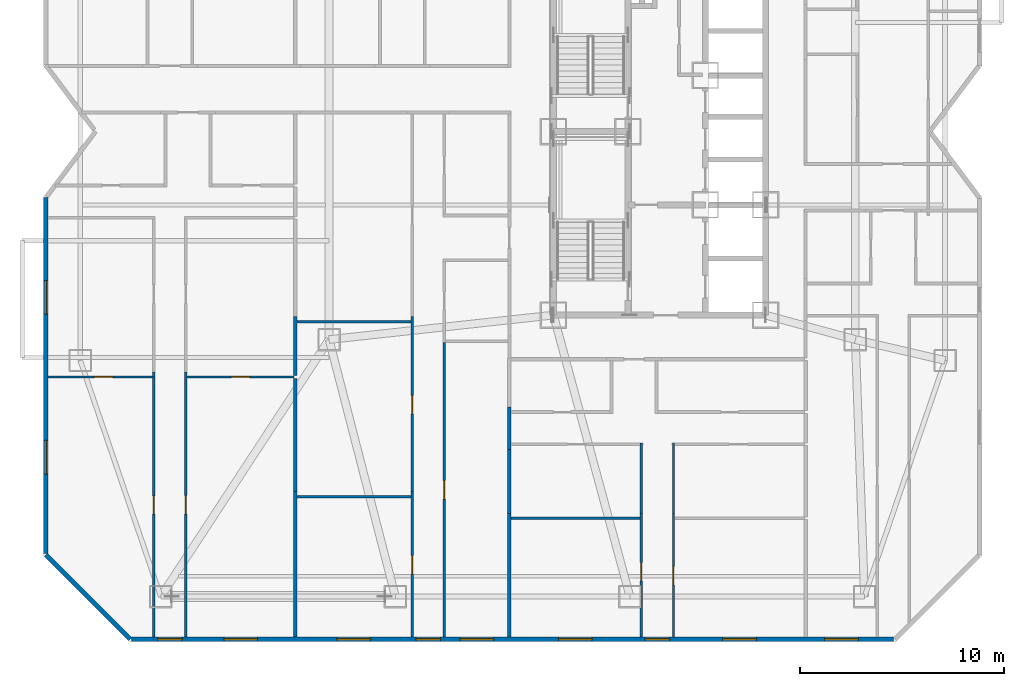
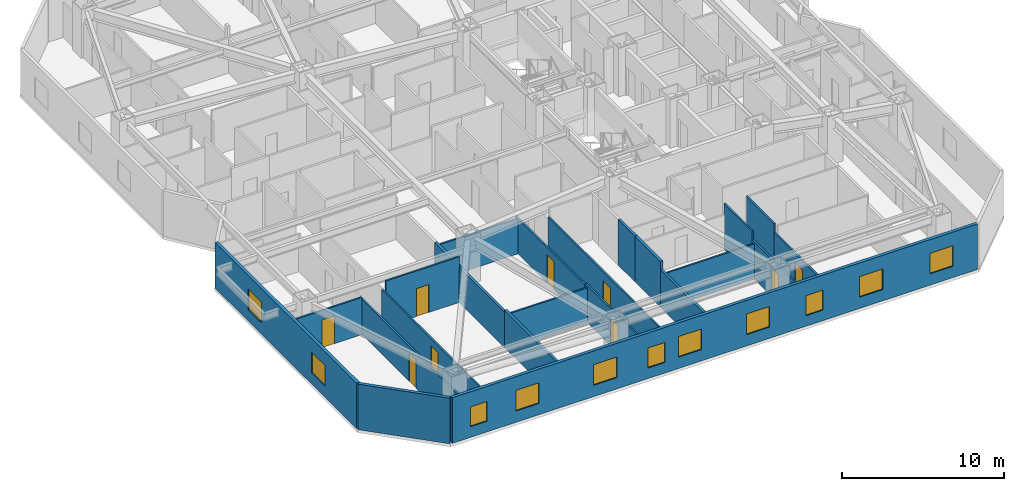
# One storey, part 6 of 13: 23 walls, 11 windows, 9 doors, 20 openings.
"""IFC4 building model written with IfcOpenShell, lengths in metres."""

from ifc_helpers import new_model, si_unit, direction, frame, frame_2d, origin, place, context, subcontext, project, spatial, rectangle, extrude, material, layer, layer_set, type_object, element, fill, save


model = new_model("IFC4")

# Units and contexts
model_context = context("Model", 3, precision=1e-05, world=origin(), true_north=direction((0.0, 1.0)))
body_context = subcontext(model_context, "Body", "Model", "MODEL_VIEW")
ifc_project = project(units=[si_unit("LENGTHUNIT", "METRE"), si_unit("AREAUNIT", "SQUARE_METRE"), si_unit("VOLUMEUNIT", "CUBIC_METRE"), si_unit("PLANEANGLEUNIT", "RADIAN"), si_unit("MASSUNIT", "GRAM", prefix="KILO")], contexts=[model_context])

# Site, building, storey
site_placement = place(None, origin())
site = spatial("IfcSite", under=ifc_project, at=site_placement, CompositionType="ELEMENT")
building_placement = place(site_placement, origin())
building = spatial("IfcBuilding", under=site, at=building_placement, Name="Khamvora Tower", CompositionType="ELEMENT")
storey_placement = place(building_placement, frame((0.0, 0.0, 62.5)))
storey = spatial("IfcBuildingStorey", under=building, at=storey_placement, Name="L15", CompositionType="ELEMENT", Elevation=62.5)

# Walls
ifc_material_1 = material(Name="Acoustic Double-Stud Fire Wall", Category="gypsum")
ifc_layer_1 = layer(ifc_material_1, 0.179931640625)
ifc_layer_set_1 = layer_set([ifc_layer_1], Name="Acoustic Double-Stud Fire Wall")
wall_type_1 = type_object("IfcWallType", Name="WAL-CORR-180", PredefinedType="STANDARD", material=ifc_layer_set_1)
wall_1_placement = place(storey_placement, frame((16.345947265625, 10.340087890625, 0.0), z_axis=(0.0, 0.0, 1.0), x_axis=(0.0, -1.0, 0.0)))
element("IfcWall", 1, at=wall_1_placement, inside=storey, type_object=wall_type_1, Name="L15 interior partition wall 061", PredefinedType="STANDARD", context=body_context, shape_type="SweptSolid", body=[
    extrude(rectangle(XDim=7.128173828125, YDim=0.179931640625, at=frame_2d((3.56396484375, 0.0))), origin(), (0.0, 0.0, 1.0), 2.802978515625),
])
wall_2_placement = place(storey_placement, frame((16.345947265625, 15.90087890625, 0.0), z_axis=(0.0, 0.0, 1.0), x_axis=(0.0, -1.0, 0.0)))
element("IfcWall", 2, at=wall_2_placement, inside=storey, type_object=wall_type_1, Name="L15 interior partition wall 062", PredefinedType="STANDARD", context=body_context, shape_type="SweptSolid", body=[
    extrude(rectangle(XDim=5.560791015625, YDim=0.179931640625, at=frame_2d((2.7802734375, 0.0))), origin(), (0.0, 0.0, 1.0), 2.64697265625),
])
wall_3_placement = place(storey_placement, frame((16.345947265625, 18.927001953125, 0.0), z_axis=(0.0, 0.0, 1.0), x_axis=(0.0, -1.0, 0.0)))
element("IfcWall", 3, at=wall_3_placement, inside=storey, type_object=wall_type_1, Name="L15 interior partition wall 063", PredefinedType="STANDARD", context=body_context, shape_type="SweptSolid", body=[
    extrude(rectangle(XDim=2.89599609375, YDim=0.179931640625, at=frame_2d((1.447998046875, 0.0))), origin(), (0.0, 0.0, 1.0), 2.68701171875),
])
wall_4_placement = place(storey_placement, frame((26.8349609375, 14.4951171875, 0.0), z_axis=(0.0, 0.0, 1.0), x_axis=(0.0, -1.0, 0.0)))
element("IfcWall", 4, at=wall_4_placement, inside=storey, type_object=wall_type_1, Name="L15 interior partition wall 067", PredefinedType="STANDARD", context=body_context, shape_type="SweptSolid", body=[
    extrude(rectangle(XDim=2.078125, YDim=0.179931640625, at=frame_2d((1.0390625, 0.0))), origin(), (0.0, 0.0, 1.0), 3.429931640625),
])
wall_5_placement = place(storey_placement, frame((26.8349609375, 9.281982421875, 0.0), z_axis=(0.0, 0.0, 1.0), x_axis=(0.0, -1.0, 0.0)))
element("IfcWall", 5, at=wall_5_placement, inside=storey, type_object=wall_type_1, Name="L15 interior partition wall 069", PredefinedType="STANDARD", context=body_context, shape_type="SweptSolid", body=[
    extrude(rectangle(XDim=6.070068359375, YDim=0.179931640625, at=frame_2d((3.03515625, 0.0))), origin(), (0.0, 0.0, 1.0), 2.802978515625),
])
wall_6_placement = place(storey_placement, frame((26.8349609375, 12.4169921875, 0.0), z_axis=(0.0, 0.0, 1.0), x_axis=(0.0, -1.0, 0.0)))
element("IfcWall", 6, at=wall_6_placement, inside=storey, type_object=wall_type_1, Name="L15 interior partition wall 070", PredefinedType="STANDARD", context=body_context, shape_type="SweptSolid", body=[
    extrude(rectangle(XDim=3.135009765625, YDim=0.179931640625, at=frame_2d((1.5673828125, 0.0))), origin(), (0.0, 0.0, 1.0), 3.429931640625),
])
ifc_material_2 = material(Name="Precast concrete C40/50", Category="concrete")
ifc_layer_2 = layer(ifc_material_2, 0.219970703125)
ifc_layer_set_2 = layer_set([ifc_layer_2], Name="Precast concrete C40/50")
wall_type_2 = type_object("IfcWallType", Name="WAL-EXT-220", PredefinedType="STANDARD", material=ifc_layer_set_2)
wall_7_placement = place(storey_placement, frame((8.24609375, 3.110107421875, 0.0), z_axis=(0.0, 0.0, 1.0), x_axis=(-0.707106781187, 0.707106781187, 0.0)))
element("IfcWall", 7, at=wall_7_placement, inside=storey, type_object=wall_type_2, Name="L15 exterior facade wall 01.1", PredefinedType="STANDARD", context=body_context, shape_type="SweptSolid", body=[
    extrude(rectangle(XDim=5.84912109375, YDim=0.219970703125, at=frame_2d((2.924560546875, 0.0))), origin(), (0.0, 0.0, 1.0), 3.429931640625),
])

# Wall, openings, windows
wall_8_placement = place(storey_placement, frame((4.110107421875, 7.31689453125, 0.0), z_axis=(0.0, 0.0, 1.0), x_axis=(0.0, 1.0, 0.0)))
wall_8 = element("IfcWall", 8, at=wall_8_placement, inside=storey, type_object=wall_type_2, Name="L15 exterior facade wall 02.1", PredefinedType="STANDARD", context=body_context, shape_type="SweptSolid", body=[
    extrude(rectangle(XDim=17.446044921875, YDim=0.219970703125, at=frame_2d((8.72314453125, 0.0))), origin(), (0.0, 0.0, 1.0), 3.429931640625),
])
opening_1_placement = place(wall_8_placement, frame((3.89208984375, 0.0, 0.85009765625)))
opening_1 = element("IfcOpeningElement", 9, at=opening_1_placement, cuts=wall_8, Name="Opening WN-06", PredefinedType="OPENING", context=body_context, shape_type="SweptSolid", body=[
    extrude(rectangle(XDim=1.64990234375, YDim=1.550048828125, at=frame_2d((0.824951171875, 0.77490234375))), frame((0.0, 0.119873046875, 0.0), z_axis=(0.0, -1.0, 0.0), x_axis=(1.0, 0.0, 0.0)), (0.0, 0.0, 1.0), 0.239990234375),
])
opening_2_placement = place(wall_8_placement, frame((11.72802734375, 0.0, 0.85009765625)))
opening_2 = element("IfcOpeningElement", 10, at=opening_2_placement, cuts=wall_8, Name="Opening WN-06", PredefinedType="OPENING", context=body_context, shape_type="SweptSolid", body=[
    extrude(rectangle(XDim=1.64990234375, YDim=1.550048828125, at=frame_2d((0.824951171875, 0.77490234375))), frame((0.0, 0.119873046875, 0.0), z_axis=(0.0, -1.0, 0.0), x_axis=(1.0, 0.0, 0.0)), (0.0, 0.0, 1.0), 0.239990234375),
])
ifc_material_3 = material(Name="Low-E Laminated Double Glazing", Category="glass")
window_type_1 = type_object("IfcWindowType", Name="WIN-VIS-1650x1550", PartitioningType="SINGLE_PANEL", PredefinedType="WINDOW", material=ifc_material_3)
window_1_placement = place(opening_1_placement, origin())
window_1 = element("IfcWindow", 11, at=window_1_placement, inside=storey, type_object=window_type_1, Name="L15 vision window 02.1.01", OverallHeight=1.550048828125, OverallWidth=1.64990234375, PartitioningType="SINGLE_PANEL", PredefinedType="WINDOW", context=body_context, shape_type="SweptSolid", body=[
    extrude(rectangle(XDim=1.64990234375, YDim=1.550048828125, at=frame_2d((0.824951171875, 0.77490234375))), frame((0.0, 0.030029296875, 0.0), z_axis=(0.0, -1.0, 0.0), x_axis=(1.0, 0.0, 0.0)), (0.0, 0.0, 1.0), 0.06005859375),
])
fill(opening_1, window_1)
window_2_placement = place(opening_2_placement, origin())
window_2 = element("IfcWindow", 12, at=window_2_placement, inside=storey, type_object=window_type_1, Name="L15 vision window 02.1.02", OverallHeight=1.550048828125, OverallWidth=1.64990234375, PartitioningType="SINGLE_PANEL", PredefinedType="WINDOW", context=body_context, shape_type="SweptSolid", body=[
    extrude(rectangle(XDim=1.64990234375, YDim=1.550048828125, at=frame_2d((0.824951171875, 0.77490234375))), frame((0.0, 0.030029296875, 0.0), z_axis=(0.0, -1.0, 0.0), x_axis=(1.0, 0.0, 0.0)), (0.0, 0.0, 1.0), 0.06005859375),
])
fill(opening_2, window_2)

wall_9_placement = place(storey_placement, frame((45.68310546875, 3.110107421875, 0.0), z_axis=(0.0, 0.0, 1.0), x_axis=(-1.0, 0.0, 0.0)))
wall_9 = element("IfcWall", 13, at=wall_9_placement, inside=storey, type_object=wall_type_2, Name="L15 exterior facade wall 14.1", PredefinedType="STANDARD", context=body_context, shape_type="SweptSolid", body=[
    extrude(rectangle(XDim=37.3681640625, YDim=0.219970703125, at=frame_2d((18.68408203125, 0.0))), origin(), (0.0, 0.0, 1.0), 3.429931640625),
])
opening_3_placement = place(wall_9_placement, frame((34.886962890625, 0.0, 0.800048828125)))
opening_3 = element("IfcOpeningElement", 14, at=opening_3_placement, cuts=wall_9, Name="Opening WN-03", PredefinedType="OPENING", context=body_context, shape_type="SweptSolid", body=[
    extrude(rectangle(XDim=1.199951171875, YDim=1.5, at=frame_2d((0.60009765625, 0.75))), frame((0.0, 0.119873046875, 0.0), z_axis=(0.0, -1.0, 0.0), x_axis=(1.0, 0.0, 0.0)), (0.0, 0.0, 1.0), 0.239990234375),
])
opening_4_placement = place(wall_9_placement, frame((31.194091796875, 0.0, 0.85009765625)))
opening_4 = element("IfcOpeningElement", 15, at=opening_4_placement, cuts=wall_9, Name="Opening WN-06", PredefinedType="OPENING", context=body_context, shape_type="SweptSolid", body=[
    extrude(rectangle(XDim=1.64990234375, YDim=1.550048828125, at=frame_2d((0.824951171875, 0.77490234375))), frame((0.0, 0.119873046875, 0.0), z_axis=(0.0, -1.0, 0.0), x_axis=(1.0, 0.0, 0.0)), (0.0, 0.0, 1.0), 0.239990234375),
])
opening_5_placement = place(wall_9_placement, frame((19.614990234375, 0.0, 0.85009765625)))
opening_5 = element("IfcOpeningElement", 16, at=opening_5_placement, cuts=wall_9, Name="Opening WN-06", PredefinedType="OPENING", context=body_context, shape_type="SweptSolid", body=[
    extrude(rectangle(XDim=1.64990234375, YDim=1.550048828125, at=frame_2d((0.824951171875, 0.77490234375))), frame((0.0, 0.119873046875, 0.0), z_axis=(0.0, -1.0, 0.0), x_axis=(1.0, 0.0, 0.0)), (0.0, 0.0, 1.0), 0.239990234375),
])
opening_6_placement = place(wall_9_placement, frame((22.222900390625, 0.0, 0.800048828125)))
opening_6 = element("IfcOpeningElement", 17, at=opening_6_placement, cuts=wall_9, Name="Opening WN-03", PredefinedType="OPENING", context=body_context, shape_type="SweptSolid", body=[
    extrude(rectangle(XDim=1.199951171875, YDim=1.5, at=frame_2d((0.60009765625, 0.75))), frame((0.0, 0.119873046875, 0.0), z_axis=(0.0, -1.0, 0.0), x_axis=(1.0, 0.0, 0.0)), (0.0, 0.0, 1.0), 0.239990234375),
])
opening_7_placement = place(wall_9_placement, frame((25.64990234375, 0.0, 0.85009765625)))
opening_7 = element("IfcOpeningElement", 18, at=opening_7_placement, cuts=wall_9, Name="Opening WN-06", PredefinedType="OPENING", context=body_context, shape_type="SweptSolid", body=[
    extrude(rectangle(XDim=1.64990234375, YDim=1.550048828125, at=frame_2d((0.824951171875, 0.77490234375))), frame((0.0, 0.119873046875, 0.0), z_axis=(0.0, -1.0, 0.0), x_axis=(1.0, 0.0, 0.0)), (0.0, 0.0, 1.0), 0.239990234375),
])
opening_8_placement = place(wall_9_placement, frame((10.98291015625, 0.0, 0.800048828125)))
opening_8 = element("IfcOpeningElement", 19, at=opening_8_placement, cuts=wall_9, Name="Opening WN-03", PredefinedType="OPENING", context=body_context, shape_type="SweptSolid", body=[
    extrude(rectangle(XDim=1.199951171875, YDim=1.5, at=frame_2d((0.60009765625, 0.75))), frame((0.0, 0.119873046875, 0.0), z_axis=(0.0, -1.0, 0.0), x_axis=(1.0, 0.0, 0.0)), (0.0, 0.0, 1.0), 0.239990234375),
])
opening_9_placement = place(wall_9_placement, frame((14.782958984375, 0.0, 0.85009765625)))
opening_9 = element("IfcOpeningElement", 20, at=opening_9_placement, cuts=wall_9, Name="Opening WN-06", PredefinedType="OPENING", context=body_context, shape_type="SweptSolid", body=[
    extrude(rectangle(XDim=1.64990234375, YDim=1.550048828125, at=frame_2d((0.824951171875, 0.77490234375))), frame((0.0, 0.119873046875, 0.0), z_axis=(0.0, -1.0, 0.0), x_axis=(1.0, 0.0, 0.0)), (0.0, 0.0, 1.0), 0.239990234375),
])
opening_10_placement = place(wall_9_placement, frame((6.73291015625, 0.0, 0.85009765625)))
opening_10 = element("IfcOpeningElement", 21, at=opening_10_placement, cuts=wall_9, Name="Opening WN-06", PredefinedType="OPENING", context=body_context, shape_type="SweptSolid", body=[
    extrude(rectangle(XDim=1.64990234375, YDim=1.550048828125, at=frame_2d((0.824951171875, 0.77490234375))), frame((0.0, 0.119873046875, 0.0), z_axis=(0.0, -1.0, 0.0), x_axis=(1.0, 0.0, 0.0)), (0.0, 0.0, 1.0), 0.239990234375),
])
opening_11_placement = place(wall_9_placement, frame((1.738037109375, 0.0, 0.85009765625)))
opening_11 = element("IfcOpeningElement", 22, at=opening_11_placement, cuts=wall_9, Name="Opening WN-06", PredefinedType="OPENING", context=body_context, shape_type="SweptSolid", body=[
    extrude(rectangle(XDim=1.64990234375, YDim=1.550048828125, at=frame_2d((0.824951171875, 0.77490234375))), frame((0.0, 0.119873046875, 0.0), z_axis=(0.0, -1.0, 0.0), x_axis=(1.0, 0.0, 0.0)), (0.0, 0.0, 1.0), 0.239990234375),
])
window_type_2 = type_object("IfcWindowType", Name="WIN-VIS-1200x1500", PartitioningType="SINGLE_PANEL", PredefinedType="WINDOW", material=ifc_material_3)
window_3_placement = place(opening_3_placement, origin())
window_3 = element("IfcWindow", 23, at=window_3_placement, inside=storey, type_object=window_type_2, Name="L15 vision window 14.1.01", OverallHeight=1.5, OverallWidth=1.199951171875, PartitioningType="SINGLE_PANEL", PredefinedType="WINDOW", context=body_context, shape_type="SweptSolid", body=[
    extrude(rectangle(XDim=1.199951171875, YDim=1.5, at=frame_2d((0.60009765625, 0.75))), frame((0.0, 0.030029296875, 0.0), z_axis=(0.0, -1.0, 0.0), x_axis=(1.0, 0.0, 0.0)), (0.0, 0.0, 1.0), 0.06005859375),
])
fill(opening_3, window_3)
window_4_placement = place(opening_6_placement, origin())
window_4 = element("IfcWindow", 24, at=window_4_placement, inside=storey, type_object=window_type_2, Name="L15 vision window 14.1.04", OverallHeight=1.5, OverallWidth=1.199951171875, PartitioningType="SINGLE_PANEL", PredefinedType="WINDOW", context=body_context, shape_type="SweptSolid", body=[
    extrude(rectangle(XDim=1.199951171875, YDim=1.5, at=frame_2d((0.60009765625, 0.75))), frame((0.0, 0.030029296875, 0.0), z_axis=(0.0, -1.0, 0.0), x_axis=(1.0, 0.0, 0.0)), (0.0, 0.0, 1.0), 0.06005859375),
])
fill(opening_6, window_4)
window_5_placement = place(opening_8_placement, origin())
window_5 = element("IfcWindow", 25, at=window_5_placement, inside=storey, type_object=window_type_2, Name="L15 vision window 14.1.06", OverallHeight=1.5, OverallWidth=1.199951171875, PartitioningType="SINGLE_PANEL", PredefinedType="WINDOW", context=body_context, shape_type="SweptSolid", body=[
    extrude(rectangle(XDim=1.199951171875, YDim=1.5, at=frame_2d((0.60009765625, 0.75))), frame((0.0, 0.030029296875, 0.0), z_axis=(0.0, -1.0, 0.0), x_axis=(1.0, 0.0, 0.0)), (0.0, 0.0, 1.0), 0.06005859375),
])
fill(opening_8, window_5)
window_6_placement = place(opening_4_placement, origin())
window_6 = element("IfcWindow", 26, at=window_6_placement, inside=storey, type_object=window_type_1, Name="L15 vision window 14.1.02", OverallHeight=1.550048828125, OverallWidth=1.64990234375, PartitioningType="SINGLE_PANEL", PredefinedType="WINDOW", context=body_context, shape_type="SweptSolid", body=[
    extrude(rectangle(XDim=1.64990234375, YDim=1.550048828125, at=frame_2d((0.824951171875, 0.77490234375))), frame((0.0, 0.030029296875, 0.0), z_axis=(0.0, -1.0, 0.0), x_axis=(1.0, 0.0, 0.0)), (0.0, 0.0, 1.0), 0.06005859375),
])
fill(opening_4, window_6)
window_7_placement = place(opening_5_placement, origin())
window_7 = element("IfcWindow", 27, at=window_7_placement, inside=storey, type_object=window_type_1, Name="L15 vision window 14.1.03", OverallHeight=1.550048828125, OverallWidth=1.64990234375, PartitioningType="SINGLE_PANEL", PredefinedType="WINDOW", context=body_context, shape_type="SweptSolid", body=[
    extrude(rectangle(XDim=1.64990234375, YDim=1.550048828125, at=frame_2d((0.824951171875, 0.77490234375))), frame((0.0, 0.030029296875, 0.0), z_axis=(0.0, -1.0, 0.0), x_axis=(1.0, 0.0, 0.0)), (0.0, 0.0, 1.0), 0.06005859375),
])
fill(opening_5, window_7)
window_8_placement = place(opening_7_placement, origin())
window_8 = element("IfcWindow", 28, at=window_8_placement, inside=storey, type_object=window_type_1, Name="L15 vision window 14.1.05", OverallHeight=1.550048828125, OverallWidth=1.64990234375, PartitioningType="SINGLE_PANEL", PredefinedType="WINDOW", context=body_context, shape_type="SweptSolid", body=[
    extrude(rectangle(XDim=1.64990234375, YDim=1.550048828125, at=frame_2d((0.824951171875, 0.77490234375))), frame((0.0, 0.030029296875, 0.0), z_axis=(0.0, -1.0, 0.0), x_axis=(1.0, 0.0, 0.0)), (0.0, 0.0, 1.0), 0.06005859375),
])
fill(opening_7, window_8)
window_9_placement = place(opening_9_placement, origin())
window_9 = element("IfcWindow", 29, at=window_9_placement, inside=storey, type_object=window_type_1, Name="L15 vision window 14.1.07", OverallHeight=1.550048828125, OverallWidth=1.64990234375, PartitioningType="SINGLE_PANEL", PredefinedType="WINDOW", context=body_context, shape_type="SweptSolid", body=[
    extrude(rectangle(XDim=1.64990234375, YDim=1.550048828125, at=frame_2d((0.824951171875, 0.77490234375))), frame((0.0, 0.030029296875, 0.0), z_axis=(0.0, -1.0, 0.0), x_axis=(1.0, 0.0, 0.0)), (0.0, 0.0, 1.0), 0.06005859375),
])
fill(opening_9, window_9)
window_10_placement = place(opening_10_placement, origin())
window_10 = element("IfcWindow", 30, at=window_10_placement, inside=storey, type_object=window_type_1, Name="L15 vision window 14.1.08", OverallHeight=1.550048828125, OverallWidth=1.64990234375, PartitioningType="SINGLE_PANEL", PredefinedType="WINDOW", context=body_context, shape_type="SweptSolid", body=[
    extrude(rectangle(XDim=1.64990234375, YDim=1.550048828125, at=frame_2d((0.824951171875, 0.77490234375))), frame((0.0, 0.030029296875, 0.0), z_axis=(0.0, -1.0, 0.0), x_axis=(1.0, 0.0, 0.0)), (0.0, 0.0, 1.0), 0.06005859375),
])
fill(opening_10, window_10)
window_11_placement = place(opening_11_placement, origin())
window_11 = element("IfcWindow", 31, at=window_11_placement, inside=storey, type_object=window_type_1, Name="L15 vision window 14.1.09", OverallHeight=1.550048828125, OverallWidth=1.64990234375, PartitioningType="SINGLE_PANEL", PredefinedType="WINDOW", context=body_context, shape_type="SweptSolid", body=[
    extrude(rectangle(XDim=1.64990234375, YDim=1.550048828125, at=frame_2d((0.824951171875, 0.77490234375))), frame((0.0, 0.030029296875, 0.0), z_axis=(0.0, -1.0, 0.0), x_axis=(1.0, 0.0, 0.0)), (0.0, 0.0, 1.0), 0.06005859375),
])
fill(opening_11, window_11)

# Wall, opening, door
ifc_material_4 = material(Name="Gypsum Plasterboard Partition", Category="gypsum")
ifc_layer_3 = layer(ifc_material_4, 0.1201171875)
ifc_layer_set_3 = layer_set([ifc_layer_3], Name="Gypsum Plasterboard Partition")
wall_type_3 = type_object("IfcWallType", Name="WAL-PART-120", PredefinedType="PARTITIONING", material=ifc_layer_set_3)
wall_10_placement = place(storey_placement, frame((9.410888671875, 3.2119140625, 0.0), z_axis=(0.0, 0.0, 1.0), x_axis=(0.0, 1.0, 0.0)))
wall_10 = element("IfcWall", 32, at=wall_10_placement, inside=storey, type_object=wall_type_3, Name="L15 interior partition wall 051", PredefinedType="PARTITIONING", context=body_context, shape_type="SweptSolid", body=[
    extrude(rectangle(XDim=13.003173828125, YDim=0.1201171875, at=frame_2d((6.50146484375, 0.0))), origin(), (0.0, 0.0, 1.0), 2.64697265625),
])
opening_12_placement = place(wall_10_placement, frame((6.030029296875, 0.0, 0.0)))
opening_12 = element("IfcOpeningElement", 33, at=opening_12_placement, cuts=wall_10, Name="Opening D-RM1", PredefinedType="OPENING", context=body_context, shape_type="SweptSolid", body=[
    extrude(rectangle(XDim=0.89990234375, YDim=2.10009765625, at=frame_2d((0.449951171875, 1.050048828125))), frame((0.0, 0.070068359375, 0.0), z_axis=(0.0, -1.0, 0.0), x_axis=(1.0, 0.0, 0.0)), (0.0, 0.0, 1.0), 0.14013671875),
])
ifc_material_5 = material(Name="Powder-Coated Steel and Hardwood Leaf", Category="steel")
door_type = type_object("IfcDoorType", Name="DOR-ROOM-900", OperationType="NOTDEFINED", PredefinedType="DOOR", material=ifc_material_5)
door_1_placement = place(opening_12_placement, origin())
door_1 = element("IfcDoor", 34, at=door_1_placement, inside=storey, type_object=door_type, Name="L15 interior door 15WA1H-15WA1R1", OperationType="SINGLE_SWING_LEFT", OverallHeight=2.10009765625, OverallWidth=0.89990234375, PredefinedType="DOOR", context=body_context, shape_type="SweptSolid", body=[
    extrude(rectangle(XDim=0.89990234375, YDim=2.10009765625, at=frame_2d((0.449951171875, 1.050048828125))), frame((0.0, 0.02490234375, 0.0), z_axis=(0.0, -1.0, 0.0), x_axis=(1.0, 0.0, 0.0)), (0.0, 0.0, 1.0), 0.050048828125),
])
fill(opening_12, door_1)

wall_11_placement = place(storey_placement, frame((10.98095703125, 16.215087890625, 0.0), z_axis=(0.0, 0.0, 1.0), x_axis=(0.0, -1.0, 0.0)))
wall_11 = element("IfcWall", 35, at=wall_11_placement, inside=storey, type_object=wall_type_3, Name="L15 interior partition wall 054", PredefinedType="PARTITIONING", context=body_context, shape_type="SweptSolid", body=[
    extrude(rectangle(XDim=13.003173828125, YDim=0.1201171875, at=frame_2d((6.50146484375, 0.0))), origin(), (0.0, 0.0, 1.0), 2.64697265625),
])
opening_13_placement = place(wall_11_placement, frame((6.072021484375, 0.0, 0.0)))
opening_13 = element("IfcOpeningElement", 36, at=opening_13_placement, cuts=wall_11, Name="Opening D-RM1", PredefinedType="OPENING", context=body_context, shape_type="SweptSolid", body=[
    extrude(rectangle(XDim=0.89990234375, YDim=2.10009765625, at=frame_2d((0.449951171875, 1.050048828125))), frame((0.0, 0.070068359375, 0.0), z_axis=(0.0, -1.0, 0.0), x_axis=(1.0, 0.0, 0.0)), (0.0, 0.0, 1.0), 0.14013671875),
])
door_2_placement = place(opening_13_placement, origin())
door_2 = element("IfcDoor", 37, at=door_2_placement, inside=storey, type_object=door_type, Name="L15 interior door 15WA1H-15WA1R3", OperationType="SINGLE_SWING_LEFT", OverallHeight=2.10009765625, OverallWidth=0.89990234375, PredefinedType="DOOR", context=body_context, shape_type="SweptSolid", body=[
    extrude(rectangle(XDim=0.89990234375, YDim=2.10009765625, at=frame_2d((0.449951171875, 1.050048828125))), frame((0.0, 0.02490234375, 0.0), z_axis=(0.0, -1.0, 0.0), x_axis=(1.0, 0.0, 0.0)), (0.0, 0.0, 1.0), 0.050048828125),
])
fill(opening_13, door_2)

wall_12_placement = place(storey_placement, frame((4.2119140625, 15.966064453125, 0.0), z_axis=(0.0, 0.0, 1.0), x_axis=(1.0, 0.0, 0.0)))
wall_12 = element("IfcWall", 38, at=wall_12_placement, inside=storey, type_object=wall_type_3, Name="L15 interior partition wall 059", PredefinedType="PARTITIONING", context=body_context, shape_type="SweptSolid", body=[
    extrude(rectangle(XDim=5.14501953125, YDim=0.1201171875, at=frame_2d((2.572509765625, 0.0))), origin(), (0.0, 0.0, 1.0), 2.802978515625),
])
opening_14_placement = place(wall_12_placement, frame((2.281005859375, 0.0, 0.0)))
opening_14 = element("IfcOpeningElement", 39, at=opening_14_placement, cuts=wall_12, Name="Opening D-RM1", PredefinedType="OPENING", context=body_context, shape_type="SweptSolid", body=[
    extrude(rectangle(XDim=0.89990234375, YDim=2.10009765625, at=frame_2d((0.449951171875, 1.050048828125))), frame((0.0, 0.070068359375, 0.0), z_axis=(0.0, -1.0, 0.0), x_axis=(1.0, 0.0, 0.0)), (0.0, 0.0, 1.0), 0.14013671875),
])
door_3_placement = place(opening_14_placement, origin())
door_3 = element("IfcDoor", 40, at=door_3_placement, inside=storey, type_object=door_type, Name="L15 interior door 15WA1R1-15WA1R2", OperationType="SINGLE_SWING_RIGHT", OverallHeight=2.10009765625, OverallWidth=0.89990234375, PredefinedType="DOOR", context=body_context, shape_type="SweptSolid", body=[
    extrude(rectangle(XDim=0.89990234375, YDim=2.10009765625, at=frame_2d((0.449951171875, 1.050048828125))), frame((0.0, 0.02490234375, 0.0), z_axis=(0.0, -1.0, 0.0), x_axis=(1.0, 0.0, 0.0)), (0.0, 0.0, 1.0), 0.050048828125),
])
fill(opening_14, door_3)

wall_13_placement = place(storey_placement, frame((11.034912109375, 15.966064453125, 0.0), z_axis=(0.0, 0.0, 1.0), x_axis=(1.0, 0.0, 0.0)))
wall_13 = element("IfcWall", 41, at=wall_13_placement, inside=storey, type_object=wall_type_3, Name="L15 interior partition wall 060", PredefinedType="PARTITIONING", context=body_context, shape_type="SweptSolid", body=[
    extrude(rectangle(XDim=5.24609375, YDim=0.1201171875, at=frame_2d((2.623046875, 0.0))), origin(), (0.0, 0.0, 1.0), 3.429931640625),
])
opening_15_placement = place(wall_13_placement, frame((2.173095703125, 0.0, 0.0)))
opening_15 = element("IfcOpeningElement", 42, at=opening_15_placement, cuts=wall_13, Name="Opening D-RM1", PredefinedType="OPENING", context=body_context, shape_type="SweptSolid", body=[
    extrude(rectangle(XDim=0.89990234375, YDim=2.10009765625, at=frame_2d((0.449951171875, 1.050048828125))), frame((0.0, 0.070068359375, 0.0), z_axis=(0.0, -1.0, 0.0), x_axis=(1.0, 0.0, 0.0)), (0.0, 0.0, 1.0), 0.14013671875),
])
door_4_placement = place(opening_15_placement, origin())
door_4 = element("IfcDoor", 43, at=door_4_placement, inside=storey, type_object=door_type, Name="L15 interior door 15WA1R3-15WA1R4", OperationType="SINGLE_SWING_RIGHT", OverallHeight=2.10009765625, OverallWidth=0.89990234375, PredefinedType="DOOR", context=body_context, shape_type="SweptSolid", body=[
    extrude(rectangle(XDim=0.89990234375, YDim=2.10009765625, at=frame_2d((0.449951171875, 1.050048828125))), frame((0.0, 0.02490234375, 0.0), z_axis=(0.0, -1.0, 0.0), x_axis=(1.0, 0.0, 0.0)), (0.0, 0.0, 1.0), 0.050048828125),
])
fill(opening_15, door_4)

wall_14_placement = place(storey_placement, frame((23.64990234375, 3.2119140625, 0.0), z_axis=(0.0, 0.0, 1.0), x_axis=(0.0, 1.0, 0.0)))
wall_14 = element("IfcWall", 44, at=wall_14_placement, inside=storey, type_object=wall_type_3, Name="L15 interior partition wall 065", PredefinedType="PARTITIONING", context=body_context, shape_type="SweptSolid", body=[
    extrude(rectangle(XDim=14.442138671875, YDim=0.1201171875, at=frame_2d((7.22119140625, 0.0))), origin(), (0.0, 0.0, 1.0), 2.802978515625),
])
opening_16_placement = place(wall_14_placement, frame((6.77099609375, 0.0, 0.0)))
opening_16 = element("IfcOpeningElement", 45, at=opening_16_placement, cuts=wall_14, Name="Opening D-RM1", PredefinedType="OPENING", context=body_context, shape_type="SweptSolid", body=[
    extrude(rectangle(XDim=0.89990234375, YDim=2.10009765625, at=frame_2d((0.449951171875, 1.050048828125))), frame((0.0, 0.070068359375, 0.0), z_axis=(0.0, -1.0, 0.0), x_axis=(1.0, 0.0, 0.0)), (0.0, 0.0, 1.0), 0.14013671875),
])
door_5_placement = place(opening_16_placement, origin())
door_5 = element("IfcDoor", 46, at=door_5_placement, inside=storey, type_object=door_type, Name="L15 interior door 15WA2W1-15WA2H", OperationType="SINGLE_SWING_LEFT", OverallHeight=2.10009765625, OverallWidth=0.89990234375, PredefinedType="DOOR", context=body_context, shape_type="SweptSolid", body=[
    extrude(rectangle(XDim=0.89990234375, YDim=2.10009765625, at=frame_2d((0.449951171875, 1.050048828125))), frame((0.0, 0.02490234375, 0.0), z_axis=(0.0, -1.0, 0.0), x_axis=(1.0, 0.0, 0.0)), (0.0, 0.0, 1.0), 0.050048828125),
])
fill(opening_16, door_5)

wall_15_placement = place(storey_placement, frame((22.070068359375, 3.2119140625, 0.0), z_axis=(0.0, 0.0, 1.0), x_axis=(0.0, 1.0, 0.0)))
wall_15 = element("IfcWall", 47, at=wall_15_placement, inside=storey, type_object=wall_type_3, Name="L15 interior partition wall 075", PredefinedType="PARTITIONING", context=body_context, shape_type="SweptSolid", body=[
    extrude(rectangle(XDim=7.128173828125, YDim=0.1201171875, at=frame_2d((3.56396484375, 0.0))), origin(), (0.0, 0.0, 1.0), 2.802978515625),
])
opening_17_placement = place(wall_15_placement, frame((3.093017578125, 0.0, 0.0)))
opening_17 = element("IfcOpeningElement", 48, at=opening_17_placement, cuts=wall_15, Name="Opening D-RM1", PredefinedType="OPENING", context=body_context, shape_type="SweptSolid", body=[
    extrude(rectangle(XDim=0.89990234375, YDim=2.10009765625, at=frame_2d((0.449951171875, 1.050048828125))), frame((0.0, 0.070068359375, 0.0), z_axis=(0.0, -1.0, 0.0), x_axis=(1.0, 0.0, 0.0)), (0.0, 0.0, 1.0), 0.14013671875),
])
door_6_placement = place(opening_17_placement, origin())
door_6 = element("IfcDoor", 49, at=door_6_placement, inside=storey, type_object=door_type, Name="L15 interior door 15WA2H-15WA2R1", OperationType="SINGLE_SWING_RIGHT", OverallHeight=2.10009765625, OverallWidth=0.89990234375, PredefinedType="DOOR", context=body_context, shape_type="SweptSolid", body=[
    extrude(rectangle(XDim=0.89990234375, YDim=2.10009765625, at=frame_2d((0.449951171875, 1.050048828125))), frame((0.0, 0.02490234375, 0.0), z_axis=(0.0, -1.0, 0.0), x_axis=(1.0, 0.0, 0.0)), (0.0, 0.0, 1.0), 0.050048828125),
])
fill(opening_17, door_6)

wall_16_placement = place(storey_placement, frame((22.070068359375, 10.340087890625, 0.0), z_axis=(0.0, 0.0, 1.0), x_axis=(0.0, 1.0, 0.0)))
wall_16 = element("IfcWall", 50, at=wall_16_placement, inside=storey, type_object=wall_type_3, Name="L15 interior partition wall 076", PredefinedType="PARTITIONING", context=body_context, shape_type="SweptSolid", body=[
    extrude(rectangle(XDim=8.5869140625, YDim=0.1201171875, at=frame_2d((4.29345703125, 0.0))), origin(), (0.0, 0.0, 1.0), 2.64697265625),
])
opening_18_placement = place(wall_16_placement, frame((3.822021484375, 0.0, 0.0)))
opening_18 = element("IfcOpeningElement", 51, at=opening_18_placement, cuts=wall_16, Name="Opening D-RM1", PredefinedType="OPENING", context=body_context, shape_type="SweptSolid", body=[
    extrude(rectangle(XDim=0.89990234375, YDim=2.10009765625, at=frame_2d((0.449951171875, 1.050048828125))), frame((0.0, 0.070068359375, 0.0), z_axis=(0.0, -1.0, 0.0), x_axis=(1.0, 0.0, 0.0)), (0.0, 0.0, 1.0), 0.14013671875),
])
door_7_placement = place(opening_18_placement, origin())
door_7 = element("IfcDoor", 52, at=door_7_placement, inside=storey, type_object=door_type, Name="L15 interior door 15WA2H-15WA2R2", OperationType="SINGLE_SWING_LEFT", OverallHeight=2.10009765625, OverallWidth=0.89990234375, PredefinedType="DOOR", context=body_context, shape_type="SweptSolid", body=[
    extrude(rectangle(XDim=0.89990234375, YDim=2.10009765625, at=frame_2d((0.449951171875, 1.050048828125))), frame((0.0, 0.02490234375, 0.0), z_axis=(0.0, -1.0, 0.0), x_axis=(1.0, 0.0, 0.0)), (0.0, 0.0, 1.0), 0.050048828125),
])
fill(opening_18, door_7)

# Walls
for number, where, z_axis, x_axis, name in (
    (53, (16.427978515625, 10.091064453125, 0.0), (0.0, 0.0, 1.0), (1.0, 0.0, 0.0), "L15 interior partition wall 078"),
    (54, (16.427978515625, 18.677978515625, 0.0), (0.0, 0.0, 1.0), (1.0, 0.0, 0.0), "L15 interior partition wall 079"),
):
    element("IfcWall", number, at=place(storey_placement, frame(where, z_axis=z_axis, x_axis=x_axis)), inside=storey, type_object=wall_type_3, Name=name, PredefinedType="PARTITIONING", context=body_context, shape_type="SweptSolid", body=[
        extrude(rectangle(XDim=5.588134765625, YDim=0.1201171875, at=frame_2d((2.7939453125, 0.0))), origin(), (0.0, 0.0, 1.0), 2.64697265625),
    ])

# Wall, opening, door
wall_17_placement = place(storey_placement, frame((33.31494140625, 3.2119140625, 0.0), z_axis=(0.0, 0.0, 1.0), x_axis=(0.0, 1.0, 0.0)))
wall_17 = element("IfcWall", 55, at=wall_17_placement, inside=storey, type_object=wall_type_3, Name="L15 interior partition wall 113", PredefinedType="PARTITIONING", context=body_context, shape_type="SweptSolid", body=[
    extrude(rectangle(XDim=6.070068359375, YDim=0.1201171875, at=frame_2d((3.03515625, 0.0))), origin(), (0.0, 0.0, 1.0), 2.802978515625),
])
opening_19_placement = place(wall_17_placement, frame((2.756103515625, 0.0, 0.0)))
opening_19 = element("IfcOpeningElement", 56, at=opening_19_placement, cuts=wall_17, Name="Opening D-RM1", PredefinedType="OPENING", context=body_context, shape_type="SweptSolid", body=[
    extrude(rectangle(XDim=0.89990234375, YDim=2.10009765625, at=frame_2d((0.449951171875, 1.050048828125))), frame((0.0, 0.070068359375, 0.0), z_axis=(0.0, -1.0, 0.0), x_axis=(1.0, 0.0, 0.0)), (0.0, 0.0, 1.0), 0.14013671875),
])
door_8_placement = place(opening_19_placement, origin())
door_8 = element("IfcDoor", 57, at=door_8_placement, inside=storey, type_object=door_type, Name="L15 interior door 15SAH-15SAR1", OperationType="SINGLE_SWING_RIGHT", OverallHeight=2.10009765625, OverallWidth=0.89990234375, PredefinedType="DOOR", context=body_context, shape_type="SweptSolid", body=[
    extrude(rectangle(XDim=0.89990234375, YDim=2.10009765625, at=frame_2d((0.449951171875, 1.050048828125))), frame((0.0, 0.02490234375, 0.0), z_axis=(0.0, -1.0, 0.0), x_axis=(1.0, 0.0, 0.0)), (0.0, 0.0, 1.0), 0.050048828125),
])
fill(opening_19, door_8)

# Wall
wall_18_placement = place(storey_placement, frame((33.31494140625, 9.281982421875, 0.0), z_axis=(0.0, 0.0, 1.0), x_axis=(0.0, 1.0, 0.0)))
element("IfcWall", 58, at=wall_18_placement, inside=storey, type_object=wall_type_3, Name="L15 interior partition wall 114", PredefinedType="PARTITIONING", context=body_context, shape_type="SweptSolid", body=[
    extrude(rectangle(XDim=3.448974609375, YDim=0.1201171875, at=frame_2d((1.724609375, 0.0))), origin(), (0.0, 0.0, 1.0), 3.429931640625),
])

# Wall, opening, door
wall_19_placement = place(storey_placement, frame((34.885009765625, 9.281982421875, 0.0), z_axis=(0.0, 0.0, 1.0), x_axis=(0.0, -1.0, 0.0)))
wall_19 = element("IfcWall", 59, at=wall_19_placement, inside=storey, type_object=wall_type_3, Name="L15 interior partition wall 116", PredefinedType="PARTITIONING", context=body_context, shape_type="SweptSolid", body=[
    extrude(rectangle(XDim=6.070068359375, YDim=0.1201171875, at=frame_2d((3.03515625, 0.0))), origin(), (0.0, 0.0, 1.0), 2.802978515625),
])
opening_20_placement = place(wall_19_placement, frame((2.60595703125, 0.0, 0.0)))
opening_20 = element("IfcOpeningElement", 60, at=opening_20_placement, cuts=wall_19, Name="Opening D-RM1", PredefinedType="OPENING", context=body_context, shape_type="SweptSolid", body=[
    extrude(rectangle(XDim=0.89990234375, YDim=2.10009765625, at=frame_2d((0.449951171875, 1.050048828125))), frame((0.0, 0.070068359375, 0.0), z_axis=(0.0, -1.0, 0.0), x_axis=(1.0, 0.0, 0.0)), (0.0, 0.0, 1.0), 0.14013671875),
])
door_9_placement = place(opening_20_placement, origin())
door_9 = element("IfcDoor", 61, at=door_9_placement, inside=storey, type_object=door_type, Name="L15 interior door 15SAH-15SAR3", OperationType="SINGLE_SWING_LEFT", OverallHeight=2.10009765625, OverallWidth=0.89990234375, PredefinedType="DOOR", context=body_context, shape_type="SweptSolid", body=[
    extrude(rectangle(XDim=0.89990234375, YDim=2.10009765625, at=frame_2d((0.449951171875, 1.050048828125))), frame((0.0, 0.02490234375, 0.0), z_axis=(0.0, -1.0, 0.0), x_axis=(1.0, 0.0, 0.0)), (0.0, 0.0, 1.0), 0.050048828125),
])
fill(opening_20, door_9)

# Walls
wall_20_placement = place(storey_placement, frame((34.885009765625, 12.73095703125, 0.0), z_axis=(0.0, 0.0, 1.0), x_axis=(0.0, -1.0, 0.0)))
element("IfcWall", 62, at=wall_20_placement, inside=storey, type_object=wall_type_3, Name="L15 interior partition wall 118", PredefinedType="PARTITIONING", context=body_context, shape_type="SweptSolid", body=[
    extrude(rectangle(XDim=3.448974609375, YDim=0.1201171875, at=frame_2d((1.724609375, 0.0))), origin(), (0.0, 0.0, 1.0), 3.429931640625),
])
wall_21_placement = place(storey_placement, frame((26.9169921875, 9.032958984375, 0.0), z_axis=(0.0, 0.0, 1.0), x_axis=(1.0, 0.0, 0.0)))
element("IfcWall", 63, at=wall_21_placement, inside=storey, type_object=wall_type_3, Name="L15 interior partition wall 121", PredefinedType="PARTITIONING", context=body_context, shape_type="SweptSolid", body=[
    extrude(rectangle(XDim=6.343994140625, YDim=0.1201171875, at=frame_2d((3.171875, 0.0))), origin(), (0.0, 0.0, 1.0), 2.64697265625),
])

save(model, "model.ifc")
